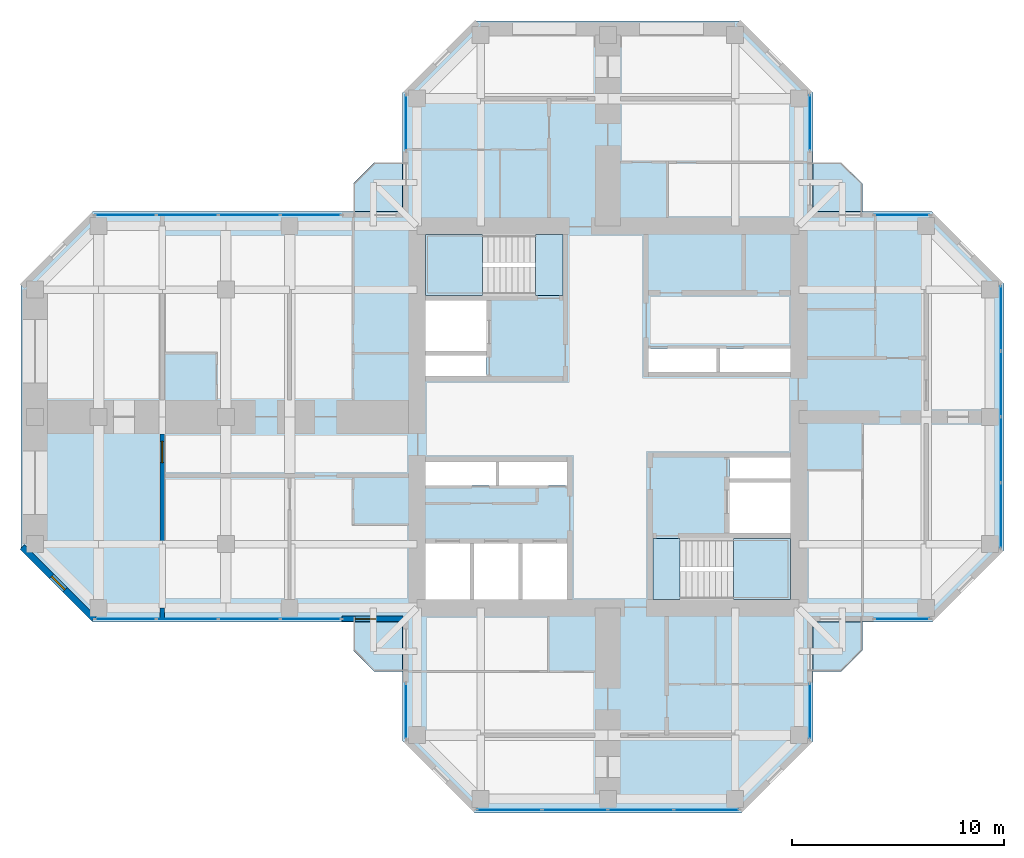
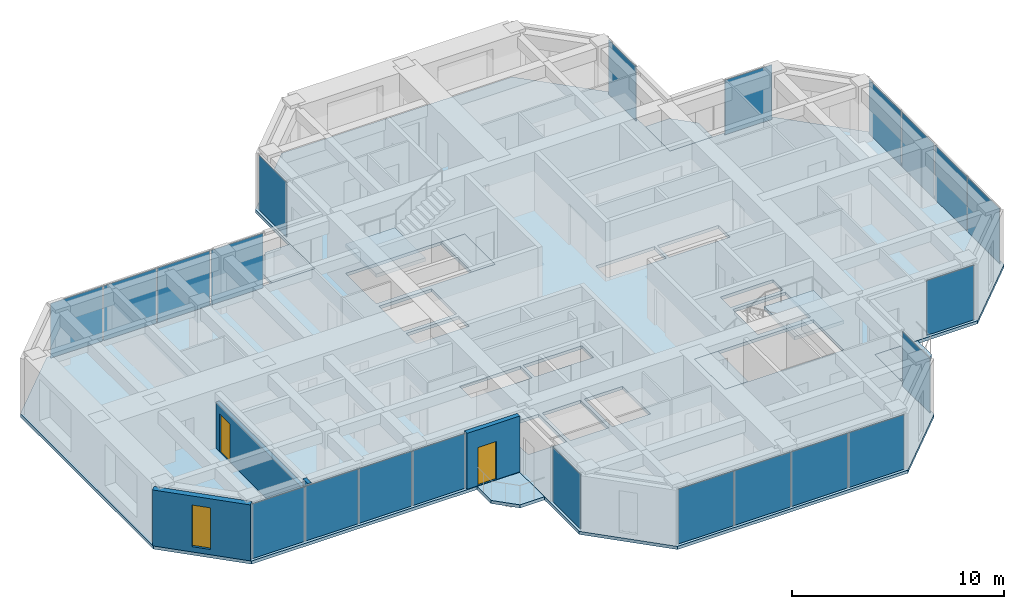
# One storey, part 7 of 13: 22 plates, 9 slabs, 4 walls, 2 doors, 1 window, 3 openings, 12 elements without a shape of their own.
"""IFC4 building model written with IfcOpenShell, lengths in metres."""

from ifc_helpers import new_model, si_unit, direction, frame, frame_2d, origin, origin_2d, place, context, subcontext, project, spatial, polyline, rectangle, hollow_rectangle, outline, extrude, material, layer, layer_set, constituent, constituent_set, type_object, element, fill, aggregate, save


model = new_model("IFC4")

# Units and contexts
model_context = context("Model", 3, precision=1e-05, world=origin(), true_north=direction((0.0, 1.0)))
body_context = subcontext(model_context, "Body", "Model", "MODEL_VIEW")
ifc_project = project(units=[si_unit("LENGTHUNIT", "METRE"), si_unit("AREAUNIT", "SQUARE_METRE"), si_unit("VOLUMEUNIT", "CUBIC_METRE"), si_unit("PLANEANGLEUNIT", "RADIAN"), si_unit("MASSUNIT", "GRAM", prefix="KILO")], contexts=[model_context])

# Site, building, storey
site_placement = place(None, origin())
site = spatial("IfcSite", under=ifc_project, at=site_placement, CompositionType="ELEMENT")
building_placement = place(site_placement, origin())
building = spatial("IfcBuilding", under=site, at=building_placement, Name="Torre Cruceta", CompositionType="ELEMENT")
storey_placement = place(building_placement, frame((0.0, 0.0, 235.699951171875)))
storey = spatial("IfcBuildingStorey", under=building, at=storey_placement, Name="L60", CompositionType="ELEMENT", Elevation=235.699951171875)

# Slabs
ifc_material_1 = material(Name="Concrete G35 (fck 35 MPa)", Category="concrete")
ifc_layer_1 = layer(ifc_material_1, 0.179931640625)
ifc_layer_set_1 = layer_set([ifc_layer_1], Name="Concrete G35 (fck 35 MPa)")
slab_type_1 = type_object("IfcSlabType", Name="BALCONY SLAB 180", PredefinedType="USERDEFINED", material=ifc_layer_set_1)
slab_1_placement = place(storey_placement, frame((0.0, 0.0, -0.179931640625)))
element("IfcSlab", 1, at=slab_1_placement, inside=storey, type_object=slab_type_1, Name="Balcony slab L60 N", ObjectType="BALCONY", PredefinedType="USERDEFINED", context=body_context, shape_type="SweptSolid", body=[
    extrude(outline(polyline([(-12.0, 11.0), (-11.0, 12.0), (-9.669921875, 12.0), (-9.669921875, 9.669921875), (-12.0, 9.669921875), (-12.0, 11.0)])), origin(), (0.0, 0.0, 1.0), 0.179931640625),
])
slab_2_placement = place(storey_placement, frame((0.0, 0.0, -0.179931640625)))
element("IfcSlab", 2, at=slab_2_placement, inside=storey, type_object=slab_type_1, Name="Balcony slab L60 E", ObjectType="BALCONY", PredefinedType="USERDEFINED", context=body_context, shape_type="SweptSolid", body=[
    extrude(outline(polyline([(11.0, 12.0), (12.0, 11.0), (12.0, 9.669921875), (9.669921875, 9.669921875), (9.669921875, 12.0), (11.0, 12.0)])), origin(), (0.0, 0.0, 1.0), 0.179931640625),
])
slab_3_placement = place(storey_placement, frame((0.0, 0.0, -0.179931640625)))
element("IfcSlab", 3, at=slab_3_placement, inside=storey, type_object=slab_type_1, Name="Balcony slab L60 S", ObjectType="BALCONY", PredefinedType="USERDEFINED", context=body_context, shape_type="SweptSolid", body=[
    extrude(outline(polyline([(12.0, -11.0), (11.0, -12.0), (9.669921875, -12.0), (9.669921875, -9.669921875), (12.0, -9.669921875), (12.0, -11.0)])), origin(), (0.0, 0.0, 1.0), 0.179931640625),
])
slab_4_placement = place(storey_placement, frame((0.0, 0.0, -0.179931640625)))
element("IfcSlab", 4, at=slab_4_placement, inside=storey, type_object=slab_type_1, Name="Balcony slab L60 W", ObjectType="BALCONY", PredefinedType="USERDEFINED", context=body_context, shape_type="SweptSolid", body=[
    extrude(outline(polyline([(-11.0, -12.0), (-12.0, -11.0), (-12.0, -9.669921875), (-9.669921875, -9.669921875), (-9.669921875, -12.0), (-11.0, -12.0)])), origin(), (0.0, 0.0, 1.0), 0.179931640625),
])

# Curtain wall, plate
ifc_material_2 = material(Name="Aluminium unitised curtain wall", Category="aluminium")
curtain_wall_type = type_object("IfcCurtainWallType", Name="CURTAIN WALL CW-D CO-LIVING UPPER", PredefinedType="USERDEFINED", material=ifc_material_2)
curtain_wall_1_placement = place(storey_placement, origin())
curtain_wall_1 = element("IfcCurtainWall", 5, at=curtain_wall_1_placement, inside=storey, type_object=curtain_wall_type, Name="CW-D L60 E tip 02", ObjectType="UNITISED", PredefinedType="USERDEFINED")
ifc_material_3 = material(Name="Laminated insulating glass unit, low-iron clear", Category="glass")
ifc_material_4 = material(Name="Laminated insulating glass unit, diagonal frit 50 %", Category="glass")
ifc_layer_2 = layer(ifc_material_4, 0.028076171875)
ifc_layer_set_2 = layer_set([ifc_layer_2], Name="Laminated insulating glass unit, diagonal frit 50 %")
plate_type_1 = type_object("IfcPlateType", Name="CW-D OPERABLE VENT PANEL 28", PredefinedType="CURTAIN_PANEL", material=ifc_layer_set_2)
plate_1_placement = place(storey_placement, frame((18.52001953125, -1.553955078125, 0.010009765625), z_axis=(0.0, 0.0, 1.0), x_axis=(0.0, 1.0, 0.0)))
plate_1 = element("IfcPlate", 6, at=plate_1_placement, type_object=plate_type_1, material=ifc_material_3, Name="CW-D vent 2", PredefinedType="CURTAIN_PANEL", context=body_context, shape_type="SweptSolid", body=[
    extrude(rectangle(XDim=3.047607421875, YDim=0.028076171875, at=origin_2d()), origin(), (0.0, 0.0, 1.0), 3.14990234375),
])

curtain_wall_2_placement = place(storey_placement, origin())
curtain_wall_2 = element("IfcCurtainWall", 7, at=curtain_wall_2_placement, inside=storey, type_object=curtain_wall_type, Name="CW-D L60 W side 10", ObjectType="UNITISED", PredefinedType="USERDEFINED")
plate_2_placement = place(storey_placement, frame((-16.90576171875, 9.52001953125, 0.010009765625), z_axis=(0.0, 0.0, 1.0), x_axis=(-1.0, 0.0, 0.0)))
plate_2 = element("IfcPlate", 8, at=plate_2_placement, type_object=plate_type_1, material=ifc_material_3, Name="CW-D vent 2", PredefinedType="CURTAIN_PANEL", context=body_context, shape_type="SweptSolid", body=[
    extrude(rectangle(XDim=2.86376953125, YDim=0.028076171875, at=origin_2d()), origin(), (0.0, 0.0, 1.0), 3.14990234375),
])

curtain_wall_3_placement = place(storey_placement, origin())
curtain_wall_3 = element("IfcCurtainWall", 9, at=curtain_wall_3_placement, inside=storey, type_object=curtain_wall_type, Name="CW-D L60 W side 14", ObjectType="UNITISED", PredefinedType="USERDEFINED")
plate_3_placement = place(storey_placement, frame((-19.82958984375, -9.52001953125, 0.010009765625), z_axis=(0.0, 0.0, 1.0), x_axis=(1.0, 0.0, 0.0)))
plate_3 = element("IfcPlate", 10, at=plate_3_placement, type_object=plate_type_1, material=ifc_material_3, Name="CW-D vent 2", PredefinedType="CURTAIN_PANEL", context=body_context, shape_type="SweptSolid", body=[
    extrude(rectangle(XDim=2.86376953125, YDim=0.028076171875, at=origin_2d()), origin(), (0.0, 0.0, 1.0), 3.14990234375),
])

curtain_wall_4_placement = place(storey_placement, origin())
curtain_wall_4 = element("IfcCurtainWall", 11, at=curtain_wall_4_placement, inside=storey, type_object=curtain_wall_type, Name="CW-D L60 S tip 17", ObjectType="UNITISED", PredefinedType="USERDEFINED")
plate_4_placement = place(storey_placement, frame((-1.553955078125, -18.52001953125, 0.010009765625), z_axis=(0.0, 0.0, 1.0), x_axis=(1.0, 0.0, 0.0)))
plate_4 = element("IfcPlate", 12, at=plate_4_placement, type_object=plate_type_1, material=ifc_material_3, Name="CW-D vent 2", PredefinedType="CURTAIN_PANEL", context=body_context, shape_type="SweptSolid", body=[
    extrude(rectangle(XDim=3.047607421875, YDim=0.028076171875, at=origin_2d()), origin(), (0.0, 0.0, 1.0), 3.14990234375),
])

curtain_wall_5_placement = place(storey_placement, origin())
curtain_wall_5 = element("IfcCurtainWall", 13, at=curtain_wall_5_placement, inside=storey, type_object=curtain_wall_type, Name="CW-D L60 E side 00", ObjectType="UNITISED", PredefinedType="USERDEFINED")
ifc_material_5 = material(Name="Laminated insulating glass unit, diagonal frit 50 %", Category="glass")
ifc_layer_3 = layer(ifc_material_5, 0.028076171875)
ifc_layer_set_3 = layer_set([ifc_layer_3], Name="Laminated insulating glass unit, diagonal frit 50 %")
plate_type_2 = type_object("IfcPlateType", Name="CW-D PANEL 28", PredefinedType="CURTAIN_PANEL", material=ifc_layer_set_3)
plate_5_placement = place(storey_placement, frame((13.86767578125, -9.52001953125, 0.010009765625), z_axis=(0.0, 0.0, 1.0), x_axis=(1.0, 0.0, 0.0)))
plate_5 = element("IfcPlate", 14, at=plate_5_placement, type_object=plate_type_2, material=ifc_material_3, Name="CW-D panel 1", PredefinedType="CURTAIN_PANEL", context=body_context, shape_type="SweptSolid", body=[
    extrude(rectangle(XDim=2.575439453125, YDim=0.028076171875, at=origin_2d()), origin(), (0.0, 0.0, 1.0), 3.14990234375),
])
aggregate(curtain_wall_5, [plate_5])

# Plate
plate_6_placement = place(storey_placement, frame((18.52001953125, -4.646484375, 0.010009765625), z_axis=(0.0, 0.0, 1.0), x_axis=(0.0, 1.0, 0.0)))
plate_6 = element("IfcPlate", 15, at=plate_6_placement, type_object=plate_type_2, material=ifc_material_3, Name="CW-D panel 1", PredefinedType="CURTAIN_PANEL", context=body_context, shape_type="SweptSolid", body=[
    extrude(rectangle(XDim=3.017578125, YDim=0.028076171875, at=origin_2d()), origin(), (0.0, 0.0, 1.0), 3.14990234375),
])

ifc_material_6 = material(Name="Laminated insulating glass unit, diagonal frit 50 %", Category="glass")
plate_7_placement = place(storey_placement, frame((18.52001953125, 1.553955078125, 0.010009765625), z_axis=(0.0, 0.0, 1.0), x_axis=(0.0, 1.0, 0.0)))
plate_7 = element("IfcPlate", 16, at=plate_7_placement, type_object=plate_type_2, material=ifc_material_6, Name="CW-D panel 3", PredefinedType="CURTAIN_PANEL", context=body_context, shape_type="SweptSolid", body=[
    extrude(rectangle(XDim=3.047607421875, YDim=0.028076171875, at=origin_2d()), origin(), (0.0, 0.0, 1.0), 3.14990234375),
])

plate_8_placement = place(storey_placement, frame((18.52001953125, 4.646484375, 0.010009765625), z_axis=(0.0, 0.0, 1.0), x_axis=(0.0, 1.0, 0.0)))
plate_8 = element("IfcPlate", 17, at=plate_8_placement, type_object=plate_type_2, material=ifc_material_6, Name="CW-D panel 4", PredefinedType="CURTAIN_PANEL", context=body_context, shape_type="SweptSolid", body=[
    extrude(rectangle(XDim=3.017578125, YDim=0.028076171875, at=origin_2d()), origin(), (0.0, 0.0, 1.0), 3.14990234375),
])

aggregate(curtain_wall_1, [plate_6, plate_1, plate_7, plate_8])

# Curtain wall, plate
curtain_wall_6_placement = place(storey_placement, origin())
curtain_wall_6 = element("IfcCurtainWall", 18, at=curtain_wall_6_placement, inside=storey, type_object=curtain_wall_type, Name="CW-D L60 E side 04", ObjectType="UNITISED", PredefinedType="USERDEFINED")
plate_9_placement = place(storey_placement, frame((13.86767578125, 9.52001953125, 0.010009765625), z_axis=(0.0, 0.0, 1.0), x_axis=(-1.0, 0.0, 0.0)))
plate_9 = element("IfcPlate", 19, at=plate_9_placement, type_object=plate_type_2, material=ifc_material_3, Name="CW-D panel 1", PredefinedType="CURTAIN_PANEL", context=body_context, shape_type="SweptSolid", body=[
    extrude(rectangle(XDim=2.575439453125, YDim=0.028076171875, at=origin_2d()), origin(), (0.0, 0.0, 1.0), 3.14990234375),
])
aggregate(curtain_wall_6, [plate_9])

curtain_wall_7_placement = place(storey_placement, origin())
curtain_wall_7 = element("IfcCurtainWall", 20, at=curtain_wall_7_placement, inside=storey, type_object=curtain_wall_type, Name="CW-D L60 N side 05", ObjectType="UNITISED", PredefinedType="USERDEFINED")
plate_10_placement = place(storey_placement, frame((9.52001953125, 13.86767578125, 0.010009765625), z_axis=(0.0, 0.0, 1.0), x_axis=(0.0, 1.0, 0.0)))
plate_10 = element("IfcPlate", 21, at=plate_10_placement, type_object=plate_type_2, material=ifc_material_3, Name="CW-D panel 1", PredefinedType="CURTAIN_PANEL", context=body_context, shape_type="SweptSolid", body=[
    extrude(rectangle(XDim=2.575439453125, YDim=0.028076171875, at=origin_2d()), origin(), (0.0, 0.0, 1.0), 3.14990234375),
])
aggregate(curtain_wall_7, [plate_10])

curtain_wall_8_placement = place(storey_placement, origin())
curtain_wall_8 = element("IfcCurtainWall", 22, at=curtain_wall_8_placement, inside=storey, type_object=curtain_wall_type, Name="CW-D L60 N side 09", ObjectType="UNITISED", PredefinedType="USERDEFINED")
plate_11_placement = place(storey_placement, frame((-9.52001953125, 13.86767578125, 0.010009765625), z_axis=(0.0, 0.0, 1.0), x_axis=(0.0, -1.0, 0.0)))
plate_11 = element("IfcPlate", 23, at=plate_11_placement, type_object=plate_type_2, material=ifc_material_3, Name="CW-D panel 1", PredefinedType="CURTAIN_PANEL", context=body_context, shape_type="SweptSolid", body=[
    extrude(rectangle(XDim=2.575439453125, YDim=0.028076171875, at=origin_2d()), origin(), (0.0, 0.0, 1.0), 3.14990234375),
])
aggregate(curtain_wall_8, [plate_11])

# Plate
plate_12_placement = place(storey_placement, frame((-13.996826171875, 9.52001953125, 0.010009765625), z_axis=(0.0, 0.0, 1.0), x_axis=(-1.0, 0.0, 0.0)))
plate_12 = element("IfcPlate", 24, at=plate_12_placement, type_object=plate_type_2, material=ifc_material_3, Name="CW-D panel 1", PredefinedType="CURTAIN_PANEL", context=body_context, shape_type="SweptSolid", body=[
    extrude(rectangle(XDim=2.833740234375, YDim=0.028076171875, at=origin_2d()), origin(), (0.0, 0.0, 1.0), 3.14990234375),
])

plate_13_placement = place(storey_placement, frame((-19.82958984375, 9.52001953125, 0.010009765625), z_axis=(0.0, 0.0, 1.0), x_axis=(-1.0, 0.0, 0.0)))
plate_13 = element("IfcPlate", 25, at=plate_13_placement, type_object=plate_type_2, material=ifc_material_6, Name="CW-D panel 3", PredefinedType="CURTAIN_PANEL", context=body_context, shape_type="SweptSolid", body=[
    extrude(rectangle(XDim=2.86376953125, YDim=0.028076171875, at=origin_2d()), origin(), (0.0, 0.0, 1.0), 3.14990234375),
])

plate_14_placement = place(storey_placement, frame((-22.738525390625, 9.52001953125, 0.010009765625), z_axis=(0.0, 0.0, 1.0), x_axis=(-1.0, 0.0, 0.0)))
plate_14 = element("IfcPlate", 26, at=plate_14_placement, type_object=plate_type_2, material=ifc_material_6, Name="CW-D panel 4", PredefinedType="CURTAIN_PANEL", context=body_context, shape_type="SweptSolid", body=[
    extrude(rectangle(XDim=2.833740234375, YDim=0.028076171875, at=origin_2d()), origin(), (0.0, 0.0, 1.0), 3.14990234375),
])

aggregate(curtain_wall_2, [plate_12, plate_2, plate_13, plate_14])

plate_15_placement = place(storey_placement, frame((-22.738525390625, -9.52001953125, 0.010009765625), z_axis=(0.0, 0.0, 1.0), x_axis=(1.0, 0.0, 0.0)))
plate_15 = element("IfcPlate", 27, at=plate_15_placement, type_object=plate_type_2, material=ifc_material_3, Name="CW-D panel 1", PredefinedType="CURTAIN_PANEL", context=body_context, shape_type="SweptSolid", body=[
    extrude(rectangle(XDim=2.833740234375, YDim=0.028076171875, at=origin_2d()), origin(), (0.0, 0.0, 1.0), 3.14990234375),
])

plate_16_placement = place(storey_placement, frame((-16.90576171875, -9.52001953125, 0.010009765625), z_axis=(0.0, 0.0, 1.0), x_axis=(1.0, 0.0, 0.0)))
plate_16 = element("IfcPlate", 28, at=plate_16_placement, type_object=plate_type_2, material=ifc_material_6, Name="CW-D panel 3", PredefinedType="CURTAIN_PANEL", context=body_context, shape_type="SweptSolid", body=[
    extrude(rectangle(XDim=2.86376953125, YDim=0.028076171875, at=origin_2d()), origin(), (0.0, 0.0, 1.0), 3.14990234375),
])

plate_17_placement = place(storey_placement, frame((-13.996826171875, -9.52001953125, 0.010009765625), z_axis=(0.0, 0.0, 1.0), x_axis=(1.0, 0.0, 0.0)))
plate_17 = element("IfcPlate", 29, at=plate_17_placement, type_object=plate_type_2, material=ifc_material_6, Name="CW-D panel 4", PredefinedType="CURTAIN_PANEL", context=body_context, shape_type="SweptSolid", body=[
    extrude(rectangle(XDim=2.833740234375, YDim=0.028076171875, at=origin_2d()), origin(), (0.0, 0.0, 1.0), 3.14990234375),
])

aggregate(curtain_wall_3, [plate_15, plate_3, plate_16, plate_17])

# Curtain wall, plate
curtain_wall_9_placement = place(storey_placement, origin())
curtain_wall_9 = element("IfcCurtainWall", 30, at=curtain_wall_9_placement, inside=storey, type_object=curtain_wall_type, Name="CW-D L60 S side 15", ObjectType="UNITISED", PredefinedType="USERDEFINED")
plate_18_placement = place(storey_placement, frame((-9.52001953125, -13.86767578125, 0.010009765625), z_axis=(0.0, 0.0, 1.0), x_axis=(0.0, -1.0, 0.0)))
plate_18 = element("IfcPlate", 31, at=plate_18_placement, type_object=plate_type_2, material=ifc_material_3, Name="CW-D panel 1", PredefinedType="CURTAIN_PANEL", context=body_context, shape_type="SweptSolid", body=[
    extrude(rectangle(XDim=2.575439453125, YDim=0.028076171875, at=origin_2d()), origin(), (0.0, 0.0, 1.0), 3.14990234375),
])
aggregate(curtain_wall_9, [plate_18])

# Plate
plate_19_placement = place(storey_placement, frame((-4.646484375, -18.52001953125, 0.010009765625), z_axis=(0.0, 0.0, 1.0), x_axis=(1.0, 0.0, 0.0)))
plate_19 = element("IfcPlate", 32, at=plate_19_placement, type_object=plate_type_2, material=ifc_material_3, Name="CW-D panel 1", PredefinedType="CURTAIN_PANEL", context=body_context, shape_type="SweptSolid", body=[
    extrude(rectangle(XDim=3.017578125, YDim=0.028076171875, at=origin_2d()), origin(), (0.0, 0.0, 1.0), 3.14990234375),
])

plate_20_placement = place(storey_placement, frame((1.553955078125, -18.52001953125, 0.010009765625), z_axis=(0.0, 0.0, 1.0), x_axis=(1.0, 0.0, 0.0)))
plate_20 = element("IfcPlate", 33, at=plate_20_placement, type_object=plate_type_2, material=ifc_material_6, Name="CW-D panel 3", PredefinedType="CURTAIN_PANEL", context=body_context, shape_type="SweptSolid", body=[
    extrude(rectangle(XDim=3.047607421875, YDim=0.028076171875, at=origin_2d()), origin(), (0.0, 0.0, 1.0), 3.14990234375),
])

plate_21_placement = place(storey_placement, frame((4.646484375, -18.52001953125, 0.010009765625), z_axis=(0.0, 0.0, 1.0), x_axis=(1.0, 0.0, 0.0)))
plate_21 = element("IfcPlate", 34, at=plate_21_placement, type_object=plate_type_2, material=ifc_material_6, Name="CW-D panel 4", PredefinedType="CURTAIN_PANEL", context=body_context, shape_type="SweptSolid", body=[
    extrude(rectangle(XDim=3.017578125, YDim=0.028076171875, at=origin_2d()), origin(), (0.0, 0.0, 1.0), 3.14990234375),
])

aggregate(curtain_wall_4, [plate_19, plate_4, plate_20, plate_21])

# Curtain wall, plate
curtain_wall_10_placement = place(storey_placement, origin())
curtain_wall_10 = element("IfcCurtainWall", 35, at=curtain_wall_10_placement, inside=storey, type_object=curtain_wall_type, Name="CW-D L60 S side 19", ObjectType="UNITISED", PredefinedType="USERDEFINED")
plate_22_placement = place(storey_placement, frame((9.52001953125, -13.86767578125, 0.010009765625), z_axis=(0.0, 0.0, 1.0), x_axis=(0.0, 1.0, 0.0)))
plate_22 = element("IfcPlate", 36, at=plate_22_placement, type_object=plate_type_2, material=ifc_material_3, Name="CW-D panel 1", PredefinedType="CURTAIN_PANEL", context=body_context, shape_type="SweptSolid", body=[
    extrude(rectangle(XDim=2.575439453125, YDim=0.028076171875, at=origin_2d()), origin(), (0.0, 0.0, 1.0), 3.14990234375),
])
aggregate(curtain_wall_10, [plate_22])

# Slab
ifc_material_7 = material(Name="Concrete G35 (fck 35 MPa)", Category="concrete")
ifc_layer_4 = layer(ifc_material_7, 0.179931640625)
ifc_layer_set_4 = layer_set([ifc_layer_4], Name="Concrete G35 (fck 35 MPa)")
slab_type_2 = type_object("IfcSlabType", Name="FLOOR SLAB 180", PredefinedType="FLOOR", material=ifc_layer_set_4)
slab_5_placement = place(storey_placement, frame((0.0, 0.0, -0.179931640625)))
element("IfcSlab", 37, at=slab_5_placement, inside=storey, type_object=slab_type_2, Name="Floor Slab L60", PredefinedType="FLOOR", context=body_context, shape_type="SweptSolid", body=[
    extrude(outline(polyline([(9.669921875, -9.669921875), (9.669921875, -15.277587890625), (6.277587890625, -18.669921875), (-6.277587890625, -18.669921875), (-9.669921875, -15.277587890625), (-9.669921875, -9.669921875), (-24.277587890625, -9.669921875), (-27.669921875, -6.277587890625), (-27.669921875, 6.277587890625), (-24.277587890625, 9.669921875), (-9.669921875, 9.669921875), (-9.669921875, 15.277587890625), (-6.277587890625, 18.669921875), (6.277587890625, 18.669921875), (9.669921875, 15.277587890625), (9.669921875, 9.669921875), (15.277587890625, 9.669921875), (18.669921875, 6.277587890625), (18.669921875, -6.277587890625), (15.277587890625, -9.669921875), (9.669921875, -9.669921875)]), holes=[polyline([(1.925048828125, 2.125), (5.125, 2.125), (5.125, 3.22509765625), (1.925048828125, 3.22509765625), (1.925048828125, 2.125)]), polyline([(5.27490234375, 2.125), (8.60009765625, 2.125), (8.60009765625, 3.22509765625), (5.27490234375, 3.22509765625), (5.27490234375, 2.125)]), polyline([(-8.60009765625, 3.10009765625), (-5.72509765625, 3.10009765625), (-5.72509765625, 5.47509765625), (-8.60009765625, 5.47509765625), (-8.60009765625, 3.10009765625)]), polyline([(-8.60009765625, 1.925048828125), (-5.72509765625, 1.925048828125), (-5.72509765625, 2.89990234375), (-8.60009765625, 2.89990234375), (-8.60009765625, 1.925048828125)]), polyline([(-4.0166015625, -8.60009765625), (-1.925048828125, -8.60009765625), (-1.925048828125, -5.97509765625), (-4.0166015625, -5.97509765625), (-4.0166015625, -8.60009765625)]), polyline([(-6.308349609375, -8.60009765625), (-4.216552734375, -8.60009765625), (-4.216552734375, -5.97509765625), (-6.308349609375, -5.97509765625), (-6.308349609375, -8.60009765625)]), polyline([(-8.60009765625, -8.60009765625), (-6.50830078125, -8.60009765625), (-6.50830078125, -5.97509765625), (-8.60009765625, -5.97509765625), (-8.60009765625, -8.60009765625)]), polyline([(-5.125, -3.22509765625), (-1.925048828125, -3.22509765625), (-1.925048828125, -2.125), (-5.125, -2.125), (-5.125, -3.22509765625)]), polyline([(-8.60009765625, -3.22509765625), (-5.27490234375, -3.22509765625), (-5.27490234375, -2.125), (-8.60009765625, -2.125), (-8.60009765625, -3.22509765625)]), polyline([(5.72509765625, -5.47509765625), (8.60009765625, -5.47509765625), (8.60009765625, -3.10009765625), (5.72509765625, -3.10009765625), (5.72509765625, -5.47509765625)]), polyline([(5.72509765625, -2.89990234375), (8.60009765625, -2.89990234375), (8.60009765625, -1.925048828125), (5.72509765625, -1.925048828125), (5.72509765625, -2.89990234375)]), polyline([(-8.60009765625, 5.72509765625), (-8.60009765625, 8.60009765625), (-3.39990234375, 8.60009765625), (-2.125, 8.60009765625), (-2.125, 5.72509765625), (-3.39990234375, 5.72509765625), (-8.60009765625, 5.72509765625)]), polyline([(2.125, -5.72509765625), (3.39990234375, -5.72509765625), (8.60009765625, -5.72509765625), (8.60009765625, -8.60009765625), (3.39990234375, -8.60009765625), (2.125, -8.60009765625), (2.125, -5.72509765625)])]), origin(), (0.0, 0.0, 1.0), 0.179931640625),
])

# Stair, slab
ifc_material_8 = material(Name="Concrete G30 (fck 30 MPa)", Category="concrete")
stair_type = type_object("IfcStairType", Name="STAIR HALF-TURN 1300", PredefinedType="HALF_TURN_STAIR", material=ifc_material_8)
stair_1_placement = place(storey_placement, origin())
stair_1 = element("IfcStair", 38, at=stair_1_placement, inside=storey, type_object=stair_type, Name="Stair ST1 L60", PredefinedType="HALF_TURN_STAIR")
ifc_material_9 = material(Name="Concrete G30 (fck 30 MPa)", Category="concrete")
ifc_layer_5 = layer(ifc_material_9, 0.199951171875)
ifc_layer_set_5 = layer_set([ifc_layer_5], Name="Concrete G30 (fck 30 MPa)")
slab_type_3 = type_object("IfcSlabType", Name="STAIR LANDING 200", PredefinedType="LANDING", material=ifc_layer_set_5)
slab_6_placement = place(storey_placement, frame((0.0, 0.0, 1.5)))
slab_6 = element("IfcSlab", 39, at=slab_6_placement, type_object=slab_type_3, Name="ST1 landing 1", PredefinedType="LANDING", context=body_context, shape_type="SweptSolid", body=[
    extrude(outline(polyline([(-8.60009765625, 5.72509765625), (-5.919921875, 5.72509765625), (-5.919921875, 8.60009765625), (-8.60009765625, 8.60009765625), (-8.60009765625, 5.72509765625)])), origin(), (0.0, 0.0, 1.0), 0.199951171875),
])
aggregate(stair_1, [slab_6])

stair_2_placement = place(storey_placement, origin())
stair_2 = element("IfcStair", 40, at=stair_2_placement, inside=storey, type_object=stair_type, Name="Stair ST2 L60", PredefinedType="HALF_TURN_STAIR")
slab_7_placement = place(storey_placement, frame((0.0, 0.0, 1.5)))
slab_7 = element("IfcSlab", 41, at=slab_7_placement, type_object=slab_type_3, Name="ST2 landing 1", PredefinedType="LANDING", context=body_context, shape_type="SweptSolid", body=[
    extrude(outline(polyline([(5.919921875, -8.60009765625), (8.60009765625, -8.60009765625), (8.60009765625, -5.72509765625), (5.919921875, -5.72509765625), (5.919921875, -8.60009765625)])), origin(), (0.0, 0.0, 1.0), 0.199951171875),
])
aggregate(stair_2, [slab_7])

# Slabs
slab_8_placement = place(storey_placement, frame((0.0, 0.0, -0.199951171875)))
element("IfcSlab", 42, at=slab_8_placement, inside=storey, type_object=slab_type_3, Name="Stair ST1 floor landing L60", PredefinedType="LANDING", context=body_context, shape_type="SweptSolid", body=[
    extrude(outline(polyline([(-2.125, 8.60009765625), (-2.125, 5.72509765625), (-3.39990234375, 5.72509765625), (-3.39990234375, 8.60009765625), (-2.125, 8.60009765625)])), origin(), (0.0, 0.0, 1.0), 0.199951171875),
])
slab_9_placement = place(storey_placement, frame((0.0, 0.0, -0.199951171875)))
element("IfcSlab", 43, at=slab_9_placement, inside=storey, type_object=slab_type_3, Name="Stair ST2 floor landing L60", PredefinedType="LANDING", context=body_context, shape_type="SweptSolid", body=[
    extrude(outline(polyline([(2.125, -8.60009765625), (2.125, -5.72509765625), (3.39990234375, -5.72509765625), (3.39990234375, -8.60009765625), (2.125, -8.60009765625)])), origin(), (0.0, 0.0, 1.0), 0.199951171875),
])

# Wall, opening, window
ifc_material_10 = material(Name="Concrete G30 (fck 30 MPa)", Category="concrete")
ifc_layer_6 = layer(ifc_material_10, 0.300048828125)
ifc_layer_set_6 = layer_set([ifc_layer_6], Name="Concrete G30 (fck 30 MPa)")
wall_type_1 = type_object("IfcWallType", Name="EXPOSED CONCRETE FACADE WALL 300", PredefinedType="SOLIDWALL", material=ifc_layer_set_6)
wall_1_placement = place(storey_placement, frame((-27.60009765625, -6.135498046875, 0.0), z_axis=(0.0, 0.0, 1.0), x_axis=(0.707132283189, -0.707081278264, 0.0)))
wall_1 = element("IfcWall", 44, at=wall_1_placement, inside=storey, type_object=wall_type_1, Name="EW1 facade wall L60 W chamfer 13", PredefinedType="SOLIDWALL", context=body_context, shape_type="SweptSolid", body=[
    extrude(rectangle(XDim=4.78662109375, YDim=0.300048828125, at=frame_2d((2.393310546875, 0.0))), origin(), (0.0, 0.0, 1.0), 3.219970703125),
])
opening_1_placement = place(wall_1_placement, frame((1.943359375, 0.0, 0.300048828125)))
opening_1 = element("IfcOpeningElement", 45, at=opening_1_placement, cuts=wall_1, Name="Opening WN5", PredefinedType="OPENING", context=body_context, shape_type="SweptSolid", body=[
    extrude(rectangle(XDim=0.89990234375, YDim=2.39990234375, at=frame_2d((0.449951171875, 1.199951171875))), frame((0.0, 0.159912109375, 0.0), z_axis=(0.0, -1.0, 0.0), x_axis=(1.0, 0.0, 0.0)), (0.0, 0.0, 1.0), 0.320068359375),
])
ifc_material_11 = material(Name="Aluminium window frame", Category="aluminium")
ifc_constituent_1 = constituent(ifc_material_11, Name="Frame")
ifc_material_12 = material(Name="Laminated insulating glass unit, low-iron clear", Category="glass")
ifc_constituent_2 = constituent(ifc_material_12, Name="Glazing")
ifc_constituent_set_1 = constituent_set(constituents=[ifc_constituent_1, ifc_constituent_2], Name="Aluminium window")
window_type = type_object("IfcWindowType", Name="CHAMFER SLOT WINDOW 900X2400", PartitioningType="SINGLE_PANEL", PredefinedType="WINDOW", material=ifc_constituent_set_1)
window_placement = place(opening_1_placement, origin())
window = element("IfcWindow", 46, at=window_placement, inside=storey, type_object=window_type, Name="WN5 L60 W 1", OverallHeight=2.39990234375, OverallWidth=0.89990234375, PartitioningType="SINGLE_PANEL", PredefinedType="WINDOW", context=body_context, shape_type="SweptSolid", body=[
    extrude(hollow_rectangle(XDim=0.89990234375, YDim=2.39990234375, WallThickness=0.06005859375, at=frame_2d((0.449951171875, 1.199951171875))), frame((0.0, 0.030029296875, 0.0), z_axis=(0.0, -1.0, 0.0), x_axis=(1.0, 0.0, 0.0)), (0.0, 0.0, 1.0), 0.06005859375),
    extrude(rectangle(XDim=0.77880859375, YDim=2.27880859375, at=frame_2d((0.449951171875, 1.199951171875))), frame((0.0, 0.030029296875, 0.0), z_axis=(0.0, -1.0, 0.0), x_axis=(1.0, 0.0, 0.0)), (0.0, 0.0, 1.0), 0.06005859375),
])
fill(opening_1, window)

# Wall, opening, door
ifc_material_13 = material(Name="Concrete G25 (fck 25 MPa)", Category="concrete")
ifc_layer_7 = layer(ifc_material_13, 0.199951171875)
ifc_layer_set_7 = layer_set([ifc_layer_7], Name="Concrete G25 (fck 25 MPa)")
wall_type_2 = type_object("IfcWallType", Name="UNIT SEPARATING WALL 200", PredefinedType="SOLIDWALL", material=ifc_layer_set_7)
wall_2_placement = place(storey_placement, frame((-21.0, -0.800048828125, 0.0), z_axis=(0.0, 0.0, 1.0), x_axis=(0.0, -1.0, 0.0)))
wall_2 = element("IfcWall", 47, at=wall_2_placement, inside=storey, type_object=wall_type_2, Name="PT2 L60-W-ENDb", PredefinedType="SOLIDWALL", context=body_context, shape_type="SweptSolid", body=[
    extrude(rectangle(XDim=8.199951171875, YDim=0.199951171875, at=frame_2d((4.10009765625, 0.0))), origin(), (0.0, 0.0, 1.0), 2.670166015625),
])
opening_2_placement = place(wall_2_placement, frame((0.35009765625, 0.0, 0.0)))
opening_2 = element("IfcOpeningElement", 48, at=opening_2_placement, cuts=wall_2, Name="Opening D14", PredefinedType="OPENING", context=body_context, shape_type="SweptSolid", body=[
    extrude(rectangle(XDim=1.0, YDim=2.199951171875, at=frame_2d((0.5, 1.10009765625))), frame((0.0, 0.10986328125, 0.0), z_axis=(0.0, -1.0, 0.0), x_axis=(1.0, 0.0, 0.0)), (0.0, 0.0, 1.0), 0.219970703125),
])
ifc_material_14 = material(Name="Steel DX51D", Category="steel")
ifc_constituent_3 = constituent(ifc_material_14, Name="Leaf and frame")
ifc_material_15 = material(Name="Polyester powder coating", Category="paint")
ifc_constituent_4 = constituent(ifc_material_15, Name="Finish")
ifc_material_16 = material(Name="Fire-resisting glass", Category="glass")
ifc_constituent_5 = constituent(ifc_material_16, Name="Vision panel")
ifc_constituent_set_2 = constituent_set(constituents=[ifc_constituent_3, ifc_constituent_4, ifc_constituent_5], Name="Steel fire door with vision panel")
door_type_1 = type_object("IfcDoorType", Name="FIRE DOOR VISION PANEL 1000X2200", OperationType="SINGLE_SWING_RIGHT", PredefinedType="DOOR", material=ifc_constituent_set_2)
door_1_placement = place(opening_2_placement, frame((1.0, 0.0, 0.0), z_axis=(0.0, 0.0, 1.0), x_axis=(-1.0, 0.0, 0.0)))
door_1 = element("IfcDoor", 49, at=door_1_placement, inside=storey, type_object=door_type_1, Name="D14 L60-W-ENDb-D1", OperationType="SINGLE_SWING_RIGHT", OverallHeight=2.199951171875, OverallWidth=1.0, PredefinedType="DOOR", context=body_context, shape_type="SweptSolid", body=[
    extrude(rectangle(XDim=1.0, YDim=2.199951171875, at=frame_2d((0.5, 1.10009765625))), frame((0.0, 0.025146484375, 0.0), z_axis=(0.0, -1.0, 0.0), x_axis=(1.0, 0.0, 0.0)), (0.0, 0.0, 1.0), 0.050048828125),
])
fill(opening_2, door_1)

# Wall
wall_3_placement = place(storey_placement, frame((-21.0, -9.0, 0.0), z_axis=(0.0, 0.0, 1.0), x_axis=(0.0, -1.0, 0.0)))
element("IfcWall", 50, at=wall_3_placement, inside=storey, type_object=wall_type_2, Name="PT2 L60-W-ENDb 2", PredefinedType="SOLIDWALL", context=body_context, shape_type="SweptSolid", body=[
    extrude(rectangle(XDim=0.47998046875, YDim=0.199951171875, at=frame_2d((0.239990234375, 0.0))), origin(), (0.0, 0.0, 1.0), 3.219970703125),
])

# Wall, opening, door
ifc_material_17 = material(Name="Concrete G30 (fck 30 MPa)", Category="concrete")
ifc_layer_8 = layer(ifc_material_17, 0.25)
ifc_layer_set_8 = layer_set([ifc_layer_8], Name="Concrete G30 (fck 30 MPa)")
wall_type_3 = type_object("IfcWallType", Name="WINTER GARDEN WALL 250", PredefinedType="SOLIDWALL", material=ifc_layer_set_8)
wall_4_placement = place(storey_placement, frame((-12.52001953125, -9.52001953125, 0.0), z_axis=(0.0, 0.0, 1.0), x_axis=(1.0, 0.0, 0.0)))
wall_4 = element("IfcWall", 51, at=wall_4_placement, inside=storey, type_object=wall_type_3, Name="EW2 winter garden wall L60 14", PredefinedType="SOLIDWALL", context=body_context, shape_type="SweptSolid", body=[
    extrude(rectangle(XDim=2.875, YDim=0.25, at=frame_2d((1.4375, 0.0))), origin(), (0.0, 0.0, 1.0), 3.219970703125),
])
opening_3_placement = place(wall_4_placement, frame((0.60009765625, 0.0, 0.0)))
opening_3 = element("IfcOpeningElement", 52, at=opening_3_placement, cuts=wall_4, Name="Opening D10", PredefinedType="OPENING", context=body_context, shape_type="SweptSolid", body=[
    extrude(rectangle(XDim=1.0, YDim=2.199951171875, at=frame_2d((0.5, 1.10009765625))), frame((0.0, 0.135009765625, 0.0), z_axis=(0.0, -1.0, 0.0), x_axis=(1.0, 0.0, 0.0)), (0.0, 0.0, 1.0), 0.27001953125),
])
ifc_material_18 = material(Name="Aluminium door frame", Category="aluminium")
ifc_constituent_6 = constituent(ifc_material_18, Name="Frame")
ifc_material_19 = material(Name="Laminated safety glass", Category="glass")
ifc_constituent_7 = constituent(ifc_material_19, Name="Glazing")
ifc_constituent_set_3 = constituent_set(constituents=[ifc_constituent_6, ifc_constituent_7], Name="Aluminium glazed door")
door_type_2 = type_object("IfcDoorType", Name="BALCONY DOOR 1000X2200", OperationType="SINGLE_SWING_RIGHT", PredefinedType="DOOR", material=ifc_constituent_set_3)
door_2_placement = place(opening_3_placement, origin())
door_2 = element("IfcDoor", 53, at=door_2_placement, inside=storey, type_object=door_type_2, Name="D10 balcony door L60 14", OperationType="SINGLE_SWING_RIGHT", OverallHeight=2.199951171875, OverallWidth=1.0, PredefinedType="DOOR", context=body_context, shape_type="SweptSolid", body=[
    extrude(hollow_rectangle(XDim=1.0, YDim=2.199951171875, WallThickness=0.06005859375, at=frame_2d((0.5, 1.10009765625))), frame((0.0, 0.02490234375, 0.0), z_axis=(0.0, -1.0, 0.0), x_axis=(1.0, 0.0, 0.0)), (0.0, 0.0, 1.0), 0.050048828125),
    extrude(rectangle(XDim=0.87890625, YDim=2.078857421875, at=frame_2d((0.5, 1.10009765625))), frame((0.0, 0.02490234375, 0.0), z_axis=(0.0, -1.0, 0.0), x_axis=(1.0, 0.0, 0.0)), (0.0, 0.0, 1.0), 0.050048828125),
])
fill(opening_3, door_2)

save(model, "model.ifc")
